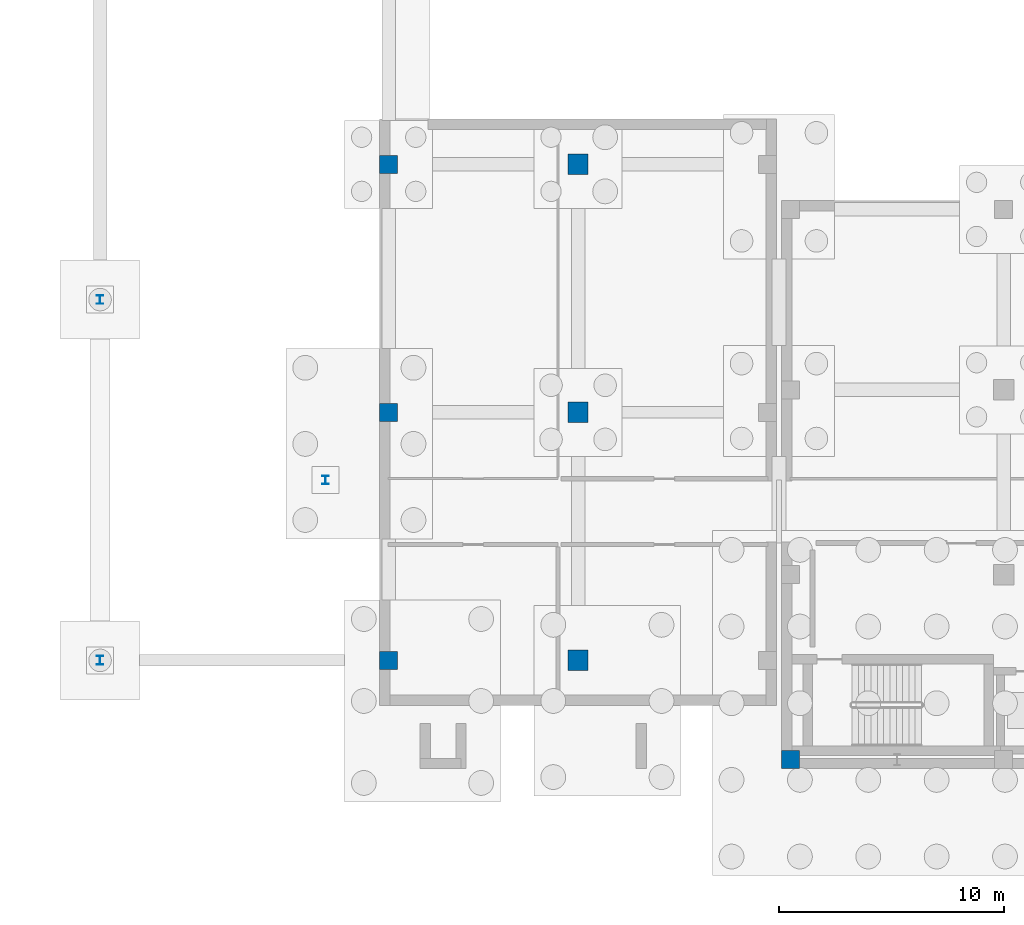
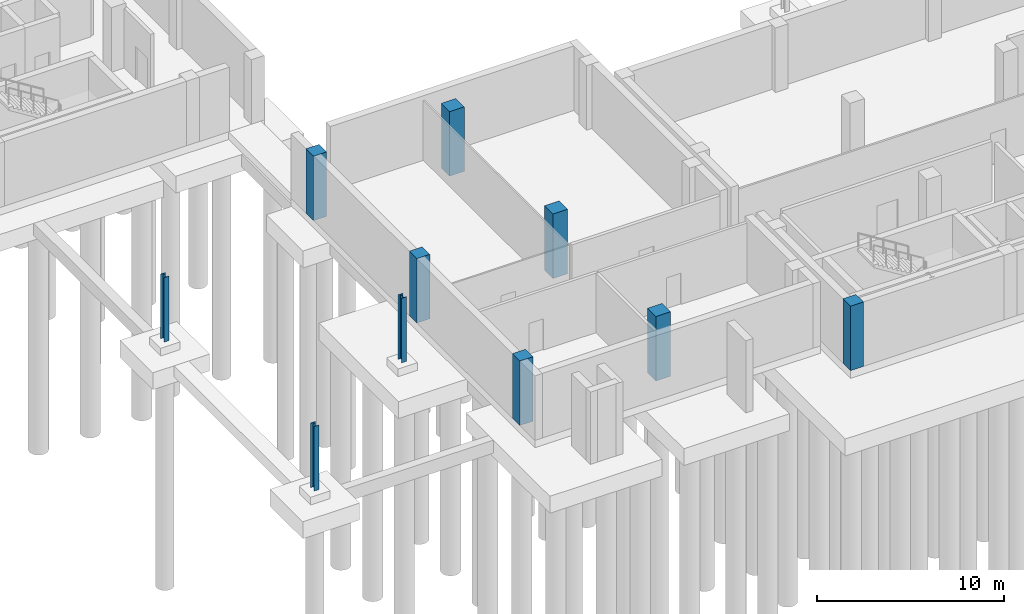
# One storey, part 7 of 31: 10 columns.
"""IFC4 building model written with IfcOpenShell, lengths in metres."""

from ifc_helpers import new_model, si_unit, direction, frame, origin, origin_2d, place, context, subcontext, project, spatial, rectangle, i_section, extrude, material, material_profile, profile_set, type_object, element, save


model = new_model("IFC4")

# Units and contexts
model_context = context("Model", 3, precision=1e-05, world=origin(), true_north=direction((0.0, 1.0)))
body_context = subcontext(model_context, "Body", "Model", "MODEL_VIEW")
ifc_project = project(units=[si_unit("LENGTHUNIT", "METRE"), si_unit("AREAUNIT", "SQUARE_METRE"), si_unit("VOLUMEUNIT", "CUBIC_METRE"), si_unit("PLANEANGLEUNIT", "RADIAN"), si_unit("MASSUNIT", "GRAM", prefix="KILO")], contexts=[model_context])

# Site, building, storey
site_placement = place(None, origin())
site = spatial("IfcSite", under=ifc_project, at=site_placement, CompositionType="ELEMENT")
building_placement = place(site_placement, origin())
building = spatial("IfcBuilding", under=site, at=building_placement, Name="Qalavern Law Courts", CompositionType="ELEMENT")
storey_placement = place(building_placement, frame((0.0, 0.0, -8.39990234375)))
storey = spatial("IfcBuildingStorey", under=building, at=storey_placement, Name="B2", CompositionType="ELEMENT", Elevation=-8.39990234375)

# Columns
ifc_material_1 = material(Name="Steel S355", Category="steel")
ifc_material_profile_1 = material_profile(ifc_material_1, i_section(OverallWidth=0.300048828125, OverallDepth=0.389892578125, WebThickness=0.010986328125, FlangeThickness=0.01904296875, FilletRadius=0.027099609375, at=origin_2d()), Name="HEA 400")
ifc_profile_set_1 = profile_set([ifc_material_profile_1], Name="Steel S355")
column_type_1 = type_object("IfcColumnType", Name="STR-COL-HEA400", PredefinedType="COLUMN", material=ifc_profile_set_1)
for number, where, z_axis, x_axis, name in (
    (1, (4.0, 10.0, 0.0), (0.0, 0.0, 1.0), (1.0, 0.0, 0.0), "Plaza apron substructure column 01 B2"),
    (2, (4.0, 26.0, 0.0), (0.0, 0.0, 1.0), (1.0, 0.0, 0.0), "Plaza apron substructure column 02 B2"),
    (3, (14.0, 18.0, 0.0), (0.0, 0.0, 1.0), (1.0, 0.0, 0.0), "Plaza apron substructure column 03 B2"),
):
    element("IfcColumn", number, at=place(storey_placement, frame(where, z_axis=z_axis, x_axis=x_axis)), inside=storey, type_object=column_type_1, Name=name, PredefinedType="COLUMN", context=body_context, shape_type="SweptSolid", body=[
        extrude(i_section(OverallWidth=0.300048828125, OverallDepth=0.389892578125, WebThickness=0.010986328125, FlangeThickness=0.01904296875, FilletRadius=0.027099609375, at=origin_2d()), origin(), (0.0, 0.0, 1.0), 4.199951171875),
    ])
ifc_material_2 = material(Name="Concrete C45/55", Category="concrete")
ifc_material_profile_2 = material_profile(ifc_material_2, rectangle(XDim=0.800048828125, YDim=0.800048828125, at=origin_2d()), Name="RC 800x800")
ifc_profile_set_2 = profile_set([ifc_material_profile_2], Name="Concrete C45/55")
column_type_2 = type_object("IfcColumnType", Name="STR-COL-RC800E", PredefinedType="COLUMN", material=ifc_profile_set_2)
for number, where, z_axis, x_axis, name in (
    (4, (16.800048828125, 10.0, 0.0), (0.0, 0.0, 1.0), (1.0, 0.0, 0.0), "V1 column 1-1 B2"),
    (5, (16.800048828125, 21.0, 0.0), (0.0, 0.0, 1.0), (1.0, 0.0, 0.0), "V1 column 1-2 B2"),
    (6, (16.800048828125, 32.0, 0.0), (0.0, 0.0, 1.0), (1.0, 0.0, 0.0), "V1 column 1-3 B2"),
    (7, (34.6201171875, 5.60009765625, 0.0), (0.0, 0.0, 1.0), (1.0, 0.0, 0.0), "V2 column 1-1 B2"),
):
    element("IfcColumn", number, at=place(storey_placement, frame(where, z_axis=z_axis, x_axis=x_axis)), inside=storey, type_object=column_type_2, Name=name, PredefinedType="COLUMN", context=body_context, shape_type="SweptSolid", body=[
        extrude(rectangle(XDim=0.800048828125, YDim=0.800048828125, at=origin_2d()), origin(), (0.0, 0.0, 1.0), 4.199951171875),
    ])
ifc_material_profile_3 = material_profile(ifc_material_2, rectangle(XDim=0.89990234375, YDim=0.89990234375, at=origin_2d()), Name="RC 900x900")
ifc_profile_set_3 = profile_set([ifc_material_profile_3], Name="Concrete C45/55")
column_type_3 = type_object("IfcColumnType", Name="STR-COL-RC900", PredefinedType="COLUMN", material=ifc_profile_set_3)
for number, where, z_axis, x_axis, name in (
    (8, (25.199951171875, 10.0, 0.0), (0.0, 0.0, 1.0), (1.0, 0.0, 0.0), "V1 column 2-1 B2"),
    (9, (25.199951171875, 21.0, 0.0), (0.0, 0.0, 1.0), (1.0, 0.0, 0.0), "V1 column 2-2 B2"),
    (10, (25.199951171875, 32.0, 0.0), (0.0, 0.0, 1.0), (1.0, 0.0, 0.0), "V1 column 2-3 B2"),
):
    element("IfcColumn", number, at=place(storey_placement, frame(where, z_axis=z_axis, x_axis=x_axis)), inside=storey, type_object=column_type_3, Name=name, PredefinedType="COLUMN", context=body_context, shape_type="SweptSolid", body=[
        extrude(rectangle(XDim=0.89990234375, YDim=0.89990234375, at=origin_2d()), origin(), (0.0, 0.0, 1.0), 4.199951171875),
    ])

save(model, "model.ifc")
